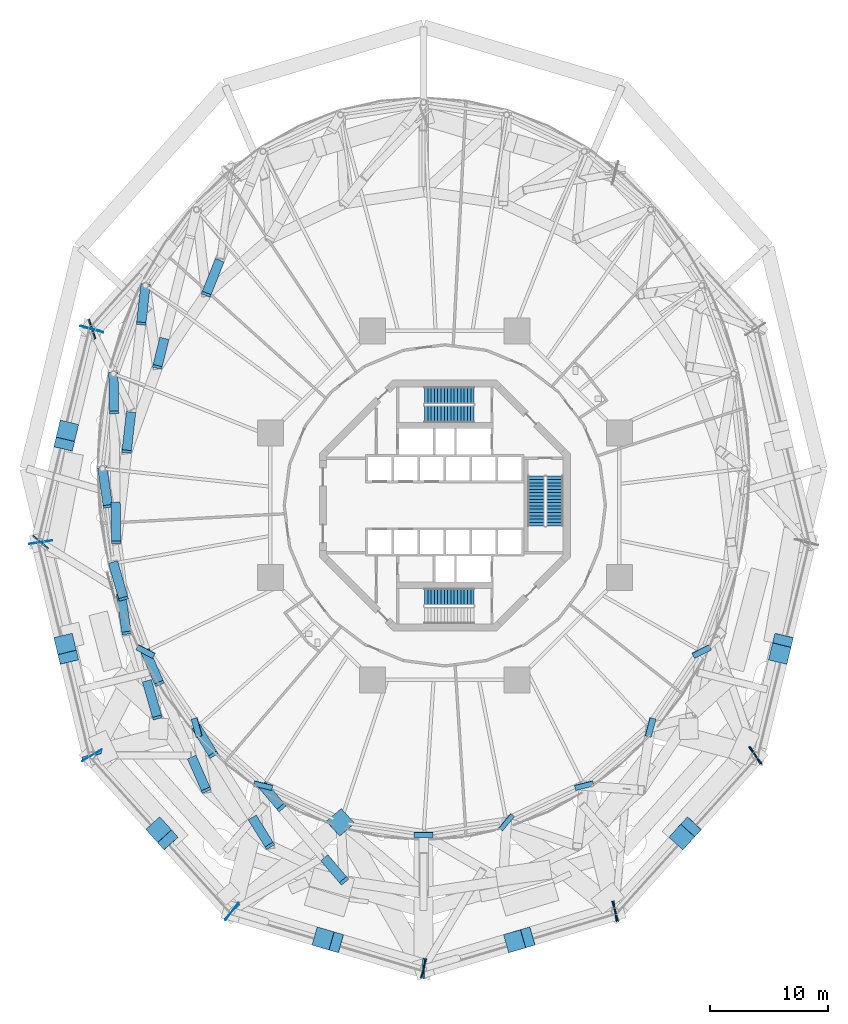
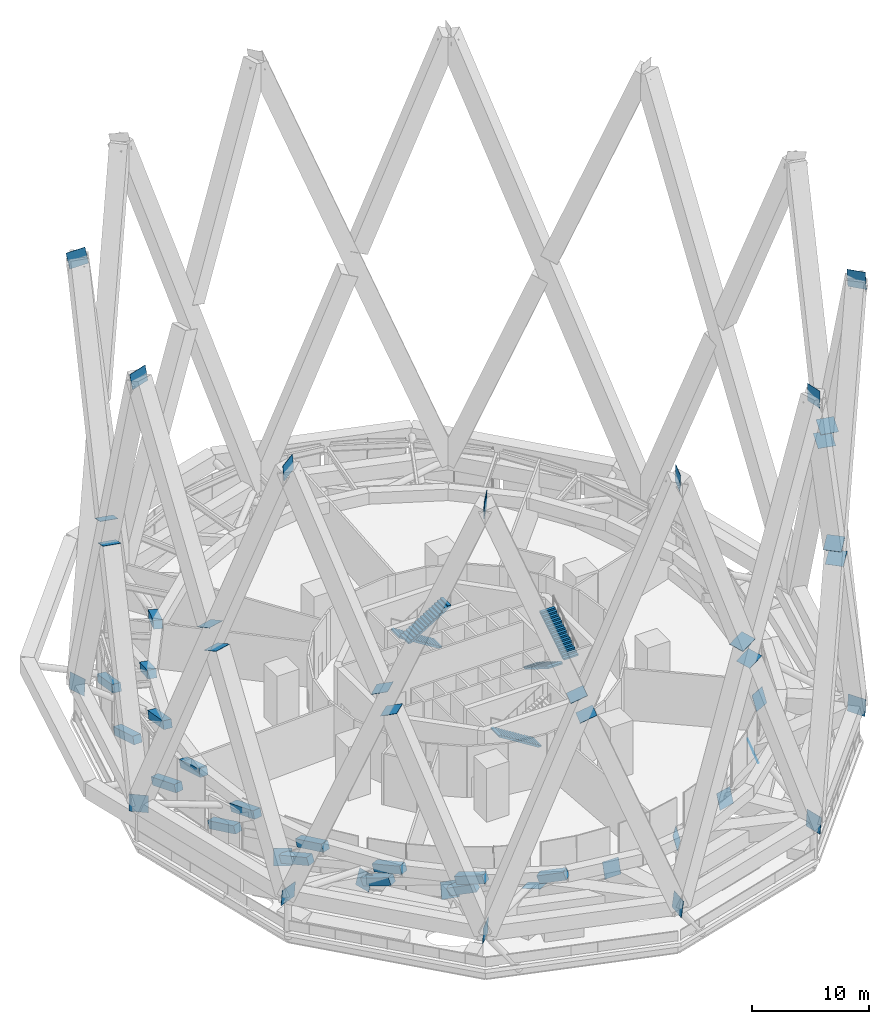
# One storey, part 56 of 65: 53 discrete accessories, 5 stair flights, 3 elements without a shape of their own.
"""IFC4 building model written with IfcOpenShell, lengths in metres."""

from ifc_helpers import new_model, si_unit, direction, frame, origin, origin_2d, place, context, subcontext, project, spatial, polyline, rectangle, outline, extrude, material, layer, layer_set, type_object, element, aggregate, save


model = new_model("IFC4")

# Units and contexts
model_context = context("Model", 3, precision=1e-05, world=origin(), true_north=direction((0.0, 1.0)))
body_context = subcontext(model_context, "Body", "Model", "MODEL_VIEW")
ifc_project = project(units=[si_unit("LENGTHUNIT", "METRE"), si_unit("AREAUNIT", "SQUARE_METRE"), si_unit("VOLUMEUNIT", "CUBIC_METRE"), si_unit("PLANEANGLEUNIT", "RADIAN"), si_unit("MASSUNIT", "GRAM", prefix="KILO")], contexts=[model_context])

# Site, building, storey
site_placement = place(None, origin())
site = spatial("IfcSite", under=ifc_project, at=site_placement, CompositionType="ELEMENT")
building_placement = place(site_placement, origin())
building = spatial("IfcBuilding", under=site, at=building_placement, Name="Nagisa Residences", CompositionType="ELEMENT")
storey_placement = place(building_placement, frame((0.0, 0.0, 114.0)))
storey = spatial("IfcBuildingStorey", under=building, at=storey_placement, Name="L28", CompositionType="ELEMENT", Elevation=114.0)

# Stair, stair flights
ifc_material_1 = material(Name="Concrete C60", Category="concrete")
stair_type = type_object("IfcStairType", Name="Exit stair", PredefinedType="HALF_TURN_STAIR", material=ifc_material_1)
stair_1_placement = place(storey_placement, origin())
stair_1 = element("IfcStair", 1, at=stair_1_placement, inside=storey, type_object=stair_type, Name="L28 Exit stair E", PredefinedType="HALF_TURN_STAIR")
ifc_material_2 = material(Name="Concrete C60", Category="concrete")
stair_flight_type = type_object("IfcStairFlightType", Name="Exit stair flight", PredefinedType="STRAIGHT", material=ifc_material_2)
stair_flight_1_placement = place(storey_placement, frame((7.737060546875, 2.47509765625, 0.0), z_axis=(0.0, 0.0, 1.0), x_axis=(0.0, -1.0, 0.0)))
stair_flight_1 = element("IfcStairFlight", 2, at=stair_flight_1_placement, type_object=stair_flight_type, Name="ST-E flight 1", NumberOfRisers=16, NumberOfTreads=15, PredefinedType="STRAIGHT", RiserHeight=0.175, TreadLength=0.28, context=body_context, shape_type="SweptSolid", body=[
    extrude(outline(polyline([(0.0, 0.0), (0.0, 0.175048828125), (0.280029296875, 0.175048828125), (0.280029296875, 0.35009765625), (0.56005859375, 0.35009765625), (0.56005859375, 0.52490234375), (0.840087890625, 0.52490234375), (0.840087890625, 0.699951171875), (1.1201171875, 0.699951171875), (1.1201171875, 0.875), (1.39990234375, 0.875), (1.39990234375, 1.050048828125), (1.679931640625, 1.050048828125), (1.679931640625, 1.22509765625), (1.9599609375, 1.22509765625), (1.9599609375, 1.39990234375), (2.239990234375, 1.39990234375), (2.239990234375, 1.574951171875), (2.52001953125, 1.574951171875), (2.52001953125, 1.75), (2.800048828125, 1.75), (2.800048828125, 1.925048828125), (3.080078125, 1.925048828125), (3.080078125, 2.10009765625), (3.360107421875, 2.10009765625), (3.360107421875, 2.27490234375), (3.639892578125, 2.27490234375), (3.639892578125, 2.449951171875), (3.919921875, 2.449951171875), (3.919921875, 2.625), (4.199951171875, 2.625), (4.199951171875, 2.800048828125), (4.199951171875, 2.4482421875), (0.28271484375, 0.0), (0.0, 0.0)])), frame((0.0, 0.71240234375, 0.0), z_axis=(0.0, -1.0, 0.0), x_axis=(1.0, 0.0, 0.0)), (0.0, 0.0, 1.0), 1.425048828125),
])
stair_flight_2_placement = place(storey_placement, frame((9.31201171875, -1.72509765625, 2.800048828125), z_axis=(0.0, 0.0, 1.0), x_axis=(0.0, 1.0, 0.0)))
stair_flight_2 = element("IfcStairFlight", 3, at=stair_flight_2_placement, type_object=stair_flight_type, Name="ST-E flight 2", NumberOfRisers=16, NumberOfTreads=15, PredefinedType="STRAIGHT", RiserHeight=0.175, TreadLength=0.28, context=body_context, shape_type="SweptSolid", body=[
    extrude(outline(polyline([(0.0, 0.0), (0.0, 0.175048828125), (0.280029296875, 0.175048828125), (0.280029296875, 0.35009765625), (0.56005859375, 0.35009765625), (0.56005859375, 0.52490234375), (0.840087890625, 0.52490234375), (0.840087890625, 0.699951171875), (1.1201171875, 0.699951171875), (1.1201171875, 0.875), (1.39990234375, 0.875), (1.39990234375, 1.050048828125), (1.679931640625, 1.050048828125), (1.679931640625, 1.22509765625), (1.9599609375, 1.22509765625), (1.9599609375, 1.39990234375), (2.239990234375, 1.39990234375), (2.239990234375, 1.574951171875), (2.52001953125, 1.574951171875), (2.52001953125, 1.75), (2.800048828125, 1.75), (2.800048828125, 1.925048828125), (3.080078125, 1.925048828125), (3.080078125, 2.10009765625), (3.360107421875, 2.10009765625), (3.360107421875, 2.27490234375), (3.639892578125, 2.27490234375), (3.639892578125, 2.449951171875), (3.919921875, 2.449951171875), (3.919921875, 2.625), (4.199951171875, 2.625), (4.199951171875, 2.800048828125), (4.199951171875, 2.4482421875), (0.28271484375, 0.0), (0.0, 0.0)])), frame((0.0, 0.71240234375, 0.0), z_axis=(0.0, -1.0, 0.0), x_axis=(1.0, 0.0, 0.0)), (0.0, 0.0, 1.0), 1.425048828125),
])
aggregate(stair_1, [stair_flight_1, stair_flight_2])

stair_2_placement = place(storey_placement, origin())
stair_2 = element("IfcStair", 4, at=stair_2_placement, inside=storey, type_object=stair_type, Name="L28 Exit stair N", PredefinedType="HALF_TURN_STAIR")
stair_flight_3_placement = place(storey_placement, frame((2.47509765625, 9.31201171875, 0.0), z_axis=(0.0, 0.0, 1.0), x_axis=(-1.0, 0.0, 0.0)))
stair_flight_3 = element("IfcStairFlight", 5, at=stair_flight_3_placement, type_object=stair_flight_type, Name="ST-N flight 1", NumberOfRisers=16, NumberOfTreads=15, PredefinedType="STRAIGHT", RiserHeight=0.175, TreadLength=0.28, context=body_context, shape_type="SweptSolid", body=[
    extrude(outline(polyline([(0.0, 0.0), (0.0, 0.175048828125), (0.280029296875, 0.175048828125), (0.280029296875, 0.35009765625), (0.56005859375, 0.35009765625), (0.56005859375, 0.52490234375), (0.840087890625, 0.52490234375), (0.840087890625, 0.699951171875), (1.1201171875, 0.699951171875), (1.1201171875, 0.875), (1.39990234375, 0.875), (1.39990234375, 1.050048828125), (1.679931640625, 1.050048828125), (1.679931640625, 1.22509765625), (1.9599609375, 1.22509765625), (1.9599609375, 1.39990234375), (2.239990234375, 1.39990234375), (2.239990234375, 1.574951171875), (2.52001953125, 1.574951171875), (2.52001953125, 1.75), (2.800048828125, 1.75), (2.800048828125, 1.925048828125), (3.080078125, 1.925048828125), (3.080078125, 2.10009765625), (3.360107421875, 2.10009765625), (3.360107421875, 2.27490234375), (3.639892578125, 2.27490234375), (3.639892578125, 2.449951171875), (3.919921875, 2.449951171875), (3.919921875, 2.625), (4.199951171875, 2.625), (4.199951171875, 2.800048828125), (4.199951171875, 2.4482421875), (0.28271484375, 0.0), (0.0, 0.0)])), frame((0.0, 0.71240234375, 0.0), z_axis=(0.0, -1.0, 0.0), x_axis=(1.0, 0.0, 0.0)), (0.0, 0.0, 1.0), 1.425048828125),
])
stair_flight_4_placement = place(storey_placement, frame((-1.72509765625, 7.737060546875, 2.800048828125), z_axis=(0.0, 0.0, 1.0), x_axis=(1.0, 0.0, 0.0)))
stair_flight_4 = element("IfcStairFlight", 6, at=stair_flight_4_placement, type_object=stair_flight_type, Name="ST-N flight 2", NumberOfRisers=16, NumberOfTreads=15, PredefinedType="STRAIGHT", RiserHeight=0.175, TreadLength=0.28, context=body_context, shape_type="SweptSolid", body=[
    extrude(outline(polyline([(0.0, 0.0), (0.0, 0.175048828125), (0.280029296875, 0.175048828125), (0.280029296875, 0.35009765625), (0.56005859375, 0.35009765625), (0.56005859375, 0.52490234375), (0.840087890625, 0.52490234375), (0.840087890625, 0.699951171875), (1.1201171875, 0.699951171875), (1.1201171875, 0.875), (1.39990234375, 0.875), (1.39990234375, 1.050048828125), (1.679931640625, 1.050048828125), (1.679931640625, 1.22509765625), (1.9599609375, 1.22509765625), (1.9599609375, 1.39990234375), (2.239990234375, 1.39990234375), (2.239990234375, 1.574951171875), (2.52001953125, 1.574951171875), (2.52001953125, 1.75), (2.800048828125, 1.75), (2.800048828125, 1.925048828125), (3.080078125, 1.925048828125), (3.080078125, 2.10009765625), (3.360107421875, 2.10009765625), (3.360107421875, 2.27490234375), (3.639892578125, 2.27490234375), (3.639892578125, 2.449951171875), (3.919921875, 2.449951171875), (3.919921875, 2.625), (4.199951171875, 2.625), (4.199951171875, 2.800048828125), (4.199951171875, 2.4482421875), (0.28271484375, 0.0), (0.0, 0.0)])), frame((0.0, 0.71240234375, 0.0), z_axis=(0.0, -1.0, 0.0), x_axis=(1.0, 0.0, 0.0)), (0.0, 0.0, 1.0), 1.425048828125),
])
aggregate(stair_2, [stair_flight_3, stair_flight_4])

# Stair, stair flight
stair_3_placement = place(storey_placement, origin())
stair_3 = element("IfcStair", 7, at=stair_3_placement, inside=storey, type_object=stair_type, Name="L28 Exit stair S", PredefinedType="HALF_TURN_STAIR")
stair_flight_5_placement = place(storey_placement, frame((2.47509765625, -7.737060546875, 0.0), z_axis=(0.0, 0.0, 1.0), x_axis=(-1.0, 0.0, 0.0)))
stair_flight_5 = element("IfcStairFlight", 8, at=stair_flight_5_placement, type_object=stair_flight_type, Name="ST-S flight 1", NumberOfRisers=16, NumberOfTreads=15, PredefinedType="STRAIGHT", RiserHeight=0.175, TreadLength=0.28, context=body_context, shape_type="SweptSolid", body=[
    extrude(outline(polyline([(0.0, 0.0), (0.0, 0.175048828125), (0.280029296875, 0.175048828125), (0.280029296875, 0.35009765625), (0.56005859375, 0.35009765625), (0.56005859375, 0.52490234375), (0.840087890625, 0.52490234375), (0.840087890625, 0.699951171875), (1.1201171875, 0.699951171875), (1.1201171875, 0.875), (1.39990234375, 0.875), (1.39990234375, 1.050048828125), (1.679931640625, 1.050048828125), (1.679931640625, 1.22509765625), (1.9599609375, 1.22509765625), (1.9599609375, 1.39990234375), (2.239990234375, 1.39990234375), (2.239990234375, 1.574951171875), (2.52001953125, 1.574951171875), (2.52001953125, 1.75), (2.800048828125, 1.75), (2.800048828125, 1.925048828125), (3.080078125, 1.925048828125), (3.080078125, 2.10009765625), (3.360107421875, 2.10009765625), (3.360107421875, 2.27490234375), (3.639892578125, 2.27490234375), (3.639892578125, 2.449951171875), (3.919921875, 2.449951171875), (3.919921875, 2.625), (4.199951171875, 2.625), (4.199951171875, 2.800048828125), (4.199951171875, 2.4482421875), (0.28271484375, 0.0), (0.0, 0.0)])), frame((0.0, 0.71240234375, 0.0), z_axis=(0.0, -1.0, 0.0), x_axis=(1.0, 0.0, 0.0)), (0.0, 0.0, 1.0), 1.425048828125),
])
aggregate(stair_3, [stair_flight_5])

# Discrete accessories
ifc_material_3 = material(Name="Steel ASTM A572 Gr 50", Category="steel")
discrete_accessory_type_1 = type_object("IfcDiscreteAccessoryType", Name="Belt node casting BX 800x800x45", PredefinedType="BRACKET", material=ifc_material_3)
discrete_accessory_1_placement = place(storey_placement, frame((-19.105224609375, 20.65576171875, 3.7900390625), z_axis=(-0.352249262276, -0.885490628362, 0.303029378624), x_axis=(0.929179520692, -0.36962875744, 0.0)))
element("IfcDiscreteAccessory", 9, at=discrete_accessory_1_placement, inside=storey, type_object=discrete_accessory_type_1, Name="Belt node 2E09", PredefinedType="BRACKET", context=body_context, shape_type="SweptSolid", body=[
    extrude(rectangle(XDim=0.800048828125, YDim=0.800048828125, at=origin_2d()), origin(), (0.0, 0.0, 1.0), 3.134765625),
])
discrete_accessory_2_placement = place(storey_placement, frame((-23.774169921875, 14.030029296875, 4.02490234375), z_axis=(-0.231319058948, -0.929023091819, 0.288803718525), x_axis=(0.970372276171, -0.241614663542, 0.0)))
element("IfcDiscreteAccessory", 10, at=discrete_accessory_2_placement, inside=storey, type_object=discrete_accessory_type_1, Name="Belt node 2E10", PredefinedType="BRACKET", context=body_context, shape_type="SweptSolid", body=[
    extrude(rectangle(XDim=0.800048828125, YDim=0.800048828125, at=origin_2d()), origin(), (0.0, 0.0, 1.0), 2.47607421875),
])
discrete_accessory_3_placement = place(storey_placement, frame((-25.3515625, 18.625244140625, 0.60009765625), z_axis=(-0.108260717335, -0.9536325721, 0.280828300768), x_axis=(0.993617711767, -0.112800012688, 0.0)))
element("IfcDiscreteAccessory", 11, at=discrete_accessory_3_placement, inside=storey, type_object=discrete_accessory_type_1, Name="Belt node 2E11", PredefinedType="BRACKET", context=body_context, shape_type="SweptSolid", body=[
    extrude(rectangle(XDim=0.800048828125, YDim=0.800048828125, at=origin_2d()), origin(), (0.0, 0.0, 1.0), 3.382568359375),
])
discrete_accessory_4_placement = place(storey_placement, frame((-26.58154296875, 7.793701171875, 3.7900390625), z_axis=(-0.108332044406, -0.953625118411, 0.280826105785), x_axis=(0.993609280641, -0.112874254919, 0.0)))
element("IfcDiscreteAccessory", 12, at=discrete_accessory_4_placement, inside=storey, type_object=discrete_accessory_type_1, Name="Belt node 2E11", PredefinedType="BRACKET", context=body_context, shape_type="SweptSolid", body=[
    extrude(rectangle(XDim=0.800048828125, YDim=0.800048828125, at=origin_2d()), origin(), (0.0, 0.0, 1.0), 3.3828125),
])
discrete_accessory_5_placement = place(storey_placement, frame((-28.068359375, 11.14501953125, 0.60009765625), z_axis=(0.015686589327, -0.960248477267, 0.278705566541), x_axis=(0.999866594759, 0.016333789665, 0.0)))
element("IfcDiscreteAccessory", 13, at=discrete_accessory_5_placement, inside=storey, type_object=discrete_accessory_type_1, Name="Belt node 2E12", PredefinedType="BRACKET", context=body_context, shape_type="SweptSolid", body=[
    extrude(rectangle(XDim=0.800048828125, YDim=0.800048828125, at=origin_2d()), origin(), (0.0, 0.0, 1.0), 3.408447265625),
])
discrete_accessory_6_placement = place(storey_placement, frame((-27.888427734375, 0.155029296875, 3.7900390625), z_axis=(0.015687668337, -0.960242895212, 0.278724737432), x_axis=(0.999866574859, 0.016335007825, 0.0)))
element("IfcDiscreteAccessory", 14, at=discrete_accessory_6_placement, inside=storey, type_object=discrete_accessory_type_1, Name="Belt node 2E12", PredefinedType="BRACKET", context=body_context, shape_type="SweptSolid", body=[
    extrude(rectangle(XDim=0.800048828125, YDim=0.800048828125, at=origin_2d()), origin(), (0.0, 0.0, 1.0), 3.408203125),
])
for number, where, z_axis, x_axis, name in (
    (15, (-28.9951171875, 3.11767578125, 0.60009765625), (0.139640743148, -0.949121809533, 0.282255652774), (0.989349529244, 0.145559297141, 0.0), "Belt node 2E13"),
    (16, (-27.417724609375, -7.60888671875, 3.7900390625), (0.139569615931, -0.949131421434, 0.28225851122), (0.989360415869, 0.145485282798, 0.0), "Belt node 2E13"),
):
    element("IfcDiscreteAccessory", number, at=place(storey_placement, frame(where, z_axis=z_axis, x_axis=x_axis)), inside=storey, type_object=discrete_accessory_type_1, Name=name, PredefinedType="BRACKET", context=body_context, shape_type="SweptSolid", body=[
        extrude(rectangle(XDim=0.800048828125, YDim=0.800048828125, at=origin_2d()), origin(), (0.0, 0.0, 1.0), 3.365478515625),
    ])
for number, where, z_axis, x_axis, name in (
    (17, (-28.068359375, -4.90966796875, 0.60009765625), (0.262220565949, -0.919870944756, 0.291681024044), (0.961689386912, 0.274141429013, 0.0), "Belt node 2E14"),
    (18, (-25.200927734375, -14.96923828125, 3.7900390625), (0.262220565949, -0.919870944756, 0.291681024044), (0.961689386912, 0.274141429013, 0.0), "Belt node 2E14"),
):
    element("IfcDiscreteAccessory", number, at=place(storey_placement, frame(where, z_axis=z_axis, x_axis=x_axis)), inside=storey, type_object=discrete_accessory_type_1, Name=name, PredefinedType="BRACKET", context=body_context, shape_type="SweptSolid", body=[
        extrude(rectangle(XDim=0.800048828125, YDim=0.800048828125, at=origin_2d()), origin(), (0.0, 0.0, 1.0), 3.2568359375),
    ])
discrete_accessory_7_placement = place(storey_placement, frame((-25.3515625, -12.389892578125, 0.60009765625), z_axis=(0.382156045138, -0.871375877803, 0.307670012752), x_axis=(0.915798397985, 0.401638262928, 0.0)))
element("IfcDiscreteAccessory", 19, at=discrete_accessory_7_placement, inside=storey, type_object=discrete_accessory_type_1, Name="Belt node 2E15", PredefinedType="BRACKET", context=body_context, shape_type="SweptSolid", body=[
    extrude(rectangle(XDim=0.800048828125, YDim=0.800048828125, at=origin_2d()), origin(), (0.0, 0.0, 1.0), 3.087646484375),
])
discrete_accessory_8_placement = place(storey_placement, frame((-21.389404296875, -21.424560546875, 3.7900390625), z_axis=(0.382129715492, -0.871394908842, 0.307648815017), x_axis=(0.915811802123, 0.401607698, 0.0)))
element("IfcDiscreteAccessory", 20, at=discrete_accessory_8_placement, inside=storey, type_object=discrete_accessory_type_1, Name="Belt node 2E15", PredefinedType="BRACKET", context=body_context, shape_type="SweptSolid", body=[
    extrude(rectangle(XDim=0.800048828125, YDim=0.800048828125, at=origin_2d()), origin(), (0.0, 0.0, 1.0), 3.087890625),
])
discrete_accessory_9_placement = place(storey_placement, frame((-21.02978515625, -18.813232421875, 0.60009765625), z_axis=(0.497136301894, -0.801939857431, 0.331282300166), x_axis=(0.849934211571, 0.526888826984, 0.0)))
element("IfcDiscreteAccessory", 21, at=discrete_accessory_9_placement, inside=storey, type_object=discrete_accessory_type_1, Name="Belt node 2E16", PredefinedType="BRACKET", context=body_context, shape_type="SweptSolid", body=[
    extrude(rectangle(XDim=0.800048828125, YDim=0.800048828125, at=origin_2d()), origin(), (0.0, 0.0, 1.0), 2.867431640625),
])
discrete_accessory_10_placement = place(storey_placement, frame((-16.242919921875, -26.534912109375, 3.7900390625), z_axis=(0.497170246885, -0.801909468259, 0.331304920471), x_axis=(0.849909158068, 0.526929239112, 0.0)))
element("IfcDiscreteAccessory", 22, at=discrete_accessory_10_placement, inside=storey, type_object=discrete_accessory_type_1, Name="Belt node 2E16", PredefinedType="BRACKET", context=body_context, shape_type="SweptSolid", body=[
    extrude(rectangle(XDim=0.800048828125, YDim=0.800048828125, at=origin_2d()), origin(), (0.0, 0.0, 1.0), 2.8671875),
])
for number, where, z_axis, x_axis, name in (
    (23, (-15.3974609375, -23.7421875, 0.60009765625), (0.603633782361, -0.709154997302, 0.364315037563), (0.761487652483, 0.648179415838, 0.0), "Belt node 2E17"),
    (24, (-10.1123046875, -29.95166015625, 3.7900390625), (0.603633782361, -0.709154997302, 0.364315037563), (0.761487652483, 0.648179415838, 0.0), "Belt node 2E17"),
):
    element("IfcDiscreteAccessory", number, at=place(storey_placement, frame(where, z_axis=z_axis, x_axis=x_axis)), inside=storey, type_object=discrete_accessory_type_1, Name=name, PredefinedType="BRACKET", context=body_context, shape_type="SweptSolid", body=[
        extrude(rectangle(XDim=0.800048828125, YDim=0.800048828125, at=origin_2d()), origin(), (0.0, 0.0, 1.0), 2.607421875),
    ])
ifc_material_4 = material(Name="Steel ASTM A572 Gr 50", Category="steel")
ifc_layer = layer(ifc_material_4, 0.030029296875)
ifc_layer_set = layer_set([ifc_layer], Name="Node plate")
discrete_accessory_type_2 = type_object("IfcDiscreteAccessoryType", Name="Node plate", PredefinedType="ANCHORPLATE", material=ifc_layer_set)
discrete_accessory_11_placement = place(storey_placement, frame((-29.875244140625, 14.9345703125, 3.698974609375), z_axis=(-0.946167263067, -0.315389087689, 0.072782097159), x_axis=(0.316890533644, -0.948411554312, 0.009793535356)))
element("IfcDiscreteAccessory", 25, at=discrete_accessory_11_placement, inside=storey, type_object=discrete_accessory_type_2, Name="Node plate ST3B06", PredefinedType="ANCHORPLATE", context=body_context, shape_type="SweptSolid", body=[
    extrude(rectangle(XDim=1.719970703125, YDim=1.719970703125, at=origin_2d()), origin(), (0.0, 0.0, 1.0), 0.0302734375),
])
for number, where, z_axis, x_axis, name in (
    (26, (-34.225341796875, -3.106201171875, 3.698974609375), (-0.642021854216, -0.763924737928, 0.065014871313), (0.765920775768, -0.64285915885, 0.009872544215), "Node plate ST3B07"),
    (27, (-29.89453125, -21.151123046875, 3.701904296875), (0.326055658376, -0.93741001783, -0.122270871891), (0.945350566848, 0.323301084535, 0.042293196828), "Node plate ST3B08"),
    (28, (-18.0068359375, -34.387451171875, 3.699462890625), (-0.714597454463, 0.698356603226, 0.040602128095), (0.699220337471, 0.714814135614, 0.01147480693), "Node plate ST3B09"),
    (29, (-1.78515625, -39.213134765625, 3.698486328125), (-0.994668050512, 0.03261206723, 0.09783620169), (0.037976941713, 0.997846316058, 0.053483468725), "Node plate ST3B10"),
    (30, (14.431884765625, -34.373046875, 3.698974609375), (-0.962535963347, -0.261026701925, 0.073413759916), (-0.259611243489, 0.96529631959, 0.02837283279), "Node plate ST3B11"),
    (31, (26.27685546875, -21.173095703125, 3.701171875), (0.845193327069, 0.528245829418, -0.081268589141), (-0.528454062123, 0.848709720334, 0.020690936097), "Node plate ST3B12"),
):
    element("IfcDiscreteAccessory", number, at=place(storey_placement, frame(where, z_axis=z_axis, x_axis=x_axis)), inside=storey, type_object=discrete_accessory_type_2, Name=name, PredefinedType="ANCHORPLATE", context=body_context, shape_type="SweptSolid", body=[
        extrude(rectangle(XDim=1.719970703125, YDim=1.719970703125, at=origin_2d()), origin(), (0.0, 0.0, 1.0), 0.030029296875),
    ])
discrete_accessory_12_placement = place(storey_placement, frame((-21.02978515625, -18.813232421875, 0.60009765625), z_axis=(0.914477755764, 0.24278170507, -0.323708940093), x_axis=(-0.256597773077, 0.966518278592, 0.0)))
element("IfcDiscreteAccessory", 32, at=discrete_accessory_12_placement, inside=storey, type_object=discrete_accessory_type_2, Name="Node plate OB301", PredefinedType="ANCHORPLATE", context=body_context, shape_type="SweptSolid", body=[
    extrude(rectangle(XDim=1.60009765625, YDim=1.60009765625, at=origin_2d()), origin(), (0.0, 0.0, 1.0), 0.0302734375),
])
for number, where, z_axis, x_axis, name in (
    (33, (-25.3515625, -12.389892578125, 0.60009765625), (0.439431217275, 0.846311974011, -0.301091759985), (-0.887496076802, 0.460815270647, 0.0), "Node plate OB302"),
    (34, (-15.3974609375, -23.7421875, 0.60009765625), (0.227371917329, 0.933848946174, -0.276094471043), (-0.971615138248, 0.236567164095, 0.0), "Node plate OB303"),
):
    element("IfcDiscreteAccessory", number, at=place(storey_placement, frame(where, z_axis=z_axis, x_axis=x_axis)), inside=storey, type_object=discrete_accessory_type_2, Name=name, PredefinedType="ANCHORPLATE", context=body_context, shape_type="SweptSolid", body=[
        extrude(rectangle(XDim=1.60009765625, YDim=1.60009765625, at=origin_2d()), origin(), (0.0, 0.0, 1.0), 0.030029296875),
    ])
discrete_accessory_13_placement = place(storey_placement, frame((-8.83984375, -26.8447265625, 0.585693359375), z_axis=(0.08161158157, 0.285640535497, 0.954855504375), x_axis=(-0.740945043344, -0.623374890321, 0.249808304228)))
element("IfcDiscreteAccessory", 35, at=discrete_accessory_13_placement, inside=storey, type_object=discrete_accessory_type_2, Name="Node plate OB304", PredefinedType="ANCHORPLATE", context=body_context, shape_type="SweptSolid", body=[
    extrude(rectangle(XDim=1.719970703125, YDim=1.719970703125, at=origin_2d()), origin(), (0.0, 0.0, 1.0), 0.030029296875),
])
for number, where, z_axis, x_axis, name in (
    (36, (-1.800048828125, -27.897216796875, 0.60009765625), (0.0, 0.963048734757, -0.269327188534), (-1.0, 0.0, 0.0), "Node plate OB305"),
    (37, (11.797607421875, -23.7421875, 0.60009765625), (-0.235051019434, 0.932098870169, -0.275577057267), (-0.969644489756, -0.244519045243, 0.0), "Node plate OB307"),
    (38, (5.238525390625, -26.840576171875, 0.60009765625), (-0.74619399175, 0.61642112362, -0.251434932003), (-0.636881446996, -0.770961751627, 0.0), "Node plate OB308"),
    (39, (17.4296875, -18.813232421875, 0.60009765625), (-0.913137882438, 0.244590504224, -0.326120672299), (-0.258736085224, -0.965948051503, 0.0), "Node plate OB309"),
):
    element("IfcDiscreteAccessory", number, at=place(storey_placement, frame(where, z_axis=z_axis, x_axis=x_axis)), inside=storey, type_object=discrete_accessory_type_2, Name=name, PredefinedType="ANCHORPLATE", context=body_context, shape_type="SweptSolid", body=[
        extrude(rectangle(XDim=1.60009765625, YDim=1.60009765625, at=origin_2d()), origin(), (0.0, 0.0, 1.0), 0.030029296875),
    ])
discrete_accessory_14_placement = place(storey_placement, frame((21.75146484375, -12.389892578125, 0.60009765625), z_axis=(-0.432829762503, 0.84932632642, -0.302164173823), x_axis=(-0.890974108706, -0.454054113091, 0.0)))
element("IfcDiscreteAccessory", 40, at=discrete_accessory_14_placement, inside=storey, type_object=discrete_accessory_type_2, Name="Node plate OB310", PredefinedType="ANCHORPLATE", context=body_context, shape_type="SweptSolid", body=[
    extrude(rectangle(XDim=1.60009765625, YDim=1.60009765625, at=origin_2d()), origin(), (0.0, 0.0, 1.0), 0.02978515625),
])
for number, where, z_axis, x_axis, name in (
    (41, (-29.893310546875, 14.915283203125, 48.200439453125), (0.251957588699, 0.967192034037, -0.032510656606), (0.169867674311, -0.077274185031, -0.982432528753), "Node plate CD3009"),
    (42, (-34.2373046875, -3.102783203125, 48.19970703125), (0.15386254749, -0.987959515465, 0.016196057631), (0.160576102424, 0.008827688323, -0.986983985305), "Node plate CD3011"),
):
    element("IfcDiscreteAccessory", number, at=place(storey_placement, frame(where, z_axis=z_axis, x_axis=x_axis)), inside=storey, type_object=discrete_accessory_type_2, Name=name, PredefinedType="ANCHORPLATE", context=body_context, shape_type="SweptSolid", body=[
        extrude(rectangle(XDim=1.719970703125, YDim=1.719970703125, at=origin_2d()), origin(), (0.0, 0.0, 1.0), 0.030029296875),
    ])
discrete_accessory_15_placement = place(storey_placement, frame((-32.161865234375, 5.4921875, 24.929443359375), z_axis=(0.089125086449, 0.37270490697, 0.923659986838), x_axis=(-0.972578891654, 0.232573213222, 0.0)))
element("IfcDiscreteAccessory", 43, at=discrete_accessory_15_placement, inside=storey, type_object=discrete_accessory_type_2, Name="Node plate CD3012A", PredefinedType="ANCHORPLATE", context=body_context, shape_type="SweptSolid", body=[
    extrude(rectangle(XDim=1.60009765625, YDim=1.60009765625, at=origin_2d()), origin(), (0.0, 0.0, 1.0), 0.030029296875),
])
discrete_accessory_16_placement = place(storey_placement, frame((-31.962646484375, 6.31982421875, 26.970458984375), z_axis=(-0.089796666364, -0.375513332069, -0.922456663561), x_axis=(0.972578891654, -0.232573213222, 0.0)))
element("IfcDiscreteAccessory", 44, at=discrete_accessory_16_placement, inside=storey, type_object=discrete_accessory_type_2, Name="Node plate CD3012B", PredefinedType="ANCHORPLATE", context=body_context, shape_type="SweptSolid", body=[
    extrude(rectangle(XDim=1.60009765625, YDim=1.60009765625, at=origin_2d()), origin(), (0.0, 0.0, 1.0), 0.02978515625),
])
discrete_accessory_17_placement = place(storey_placement, frame((-29.8818359375, -21.177978515625, 48.199951171875), z_axis=(-0.514495755428, 0.857492925713, 0.0), x_axis=(0.107289286178, 0.064373571707, -0.992141649331)))
element("IfcDiscreteAccessory", 45, at=discrete_accessory_17_placement, inside=storey, type_object=discrete_accessory_type_2, Name="Node plate CD3013", PredefinedType="ANCHORPLATE", context=body_context, shape_type="SweptSolid", body=[
    extrude(rectangle(XDim=1.719970703125, YDim=1.719970703125, at=origin_2d()), origin(), (0.0, 0.0, 1.0), 0.02978515625),
])
discrete_accessory_18_placement = place(storey_placement, frame((-31.962646484375, -12.555419921875, 24.929443359375), z_axis=(-0.089125086449, 0.37270490697, 0.923659986838), x_axis=(-0.972578891654, -0.232573213222, 0.0)))
element("IfcDiscreteAccessory", 46, at=discrete_accessory_18_placement, inside=storey, type_object=discrete_accessory_type_2, Name="Node plate CD3014A", PredefinedType="ANCHORPLATE", context=body_context, shape_type="SweptSolid", body=[
    extrude(rectangle(XDim=1.60009765625, YDim=1.60009765625, at=origin_2d()), origin(), (0.0, 0.0, 1.0), 0.030029296875),
])
discrete_accessory_19_placement = place(storey_placement, frame((-32.161865234375, -11.7275390625, 26.970458984375), z_axis=(0.089796666364, -0.375513332069, -0.922456663561), x_axis=(0.972578891654, 0.232573213222, 0.0)))
element("IfcDiscreteAccessory", 47, at=discrete_accessory_19_placement, inside=storey, type_object=discrete_accessory_type_2, Name="Node plate CD3014B", PredefinedType="ANCHORPLATE", context=body_context, shape_type="SweptSolid", body=[
    extrude(rectangle(XDim=1.60009765625, YDim=1.60009765625, at=origin_2d()), origin(), (0.0, 0.0, 1.0), 0.02978515625),
])
discrete_accessory_20_placement = place(storey_placement, frame((-18.029296875, -34.36767578125, 48.2001953125), z_axis=(0.791000383436, -0.611598234616, -0.016309286256), x_axis=(0.030781315362, 0.06640564263, -0.997317803537)))
element("IfcDiscreteAccessory", 48, at=discrete_accessory_20_placement, inside=storey, type_object=discrete_accessory_type_2, Name="Node plate CD3015", PredefinedType="ANCHORPLATE", context=body_context, shape_type="SweptSolid", body=[
    extrude(rectangle(XDim=1.719970703125, YDim=1.719970703125, at=origin_2d()), origin(), (0.0, 0.0, 1.0), 0.030029296875),
])
discrete_accessory_21_placement = place(storey_placement, frame((-23.670654296875, -28.0859375, 24.8896484375), z_axis=(-0.24452549678, 0.277128896351, 0.929196887765), x_axis=(-0.749837855365, -0.661621637087, 0.0)))
element("IfcDiscreteAccessory", 49, at=discrete_accessory_21_placement, inside=storey, type_object=discrete_accessory_type_2, Name="Node plate CD3016A", PredefinedType="ANCHORPLATE", context=body_context, shape_type="SweptSolid", body=[
    extrude(rectangle(XDim=1.60009765625, YDim=1.60009765625, at=origin_2d()), origin(), (0.0, 0.0, 1.0), 0.030029296875),
])
discrete_accessory_22_placement = place(storey_placement, frame((-24.236328125, -27.456298828125, 27.010498046875), z_axis=(0.245071540698, -0.269578694768, -0.931271854652), x_axis=(0.739940073396, 0.672672793996, 0.0)))
element("IfcDiscreteAccessory", 50, at=discrete_accessory_22_placement, inside=storey, type_object=discrete_accessory_type_2, Name="Node plate CD3016B", PredefinedType="ANCHORPLATE", context=body_context, shape_type="SweptSolid", body=[
    extrude(rectangle(XDim=1.60009765625, YDim=1.60009765625, at=origin_2d()), origin(), (0.0, 0.0, 1.0), 0.02978515625),
])
discrete_accessory_23_placement = place(storey_placement, frame((-1.814453125, -39.20849609375, 48.200439453125), z_axis=(0.960397594755, -0.276724730692, -0.03255585067), x_axis=(-0.029849858987, 0.013986552159, -0.999456533461)))
element("IfcDiscreteAccessory", 51, at=discrete_accessory_23_placement, inside=storey, type_object=discrete_accessory_type_2, Name="Node plate CD3017", PredefinedType="ANCHORPLATE", context=body_context, shape_type="SweptSolid", body=[
    extrude(rectangle(XDim=1.719970703125, YDim=1.719970703125, at=origin_2d()), origin(), (0.0, 0.0, 1.0), 0.030029296875),
])
discrete_accessory_24_placement = place(storey_placement, frame((-9.50537109375, -36.9150390625, 24.843505859375), z_axis=(-0.344031231028, 0.098294637437, 0.933799055648), x_axis=(-0.274721127897, -0.961523947641, 0.0)))
element("IfcDiscreteAccessory", 52, at=discrete_accessory_24_placement, inside=storey, type_object=discrete_accessory_type_2, Name="Node plate CD3018A", PredefinedType="ANCHORPLATE", context=body_context, shape_type="SweptSolid", body=[
    extrude(rectangle(XDim=1.60009765625, YDim=1.60009765625, at=origin_2d()), origin(), (0.0, 0.0, 1.0), 0.02978515625),
])
discrete_accessory_25_placement = place(storey_placement, frame((-10.31201171875, -36.674560546875, 27.056640625), z_axis=(0.341418283334, -0.097548080953, -0.934835775796), x_axis=(0.274721127897, 0.961523947641, 0.0)))
element("IfcDiscreteAccessory", 53, at=discrete_accessory_25_placement, inside=storey, type_object=discrete_accessory_type_2, Name="Node plate CD3018B", PredefinedType="ANCHORPLATE", context=body_context, shape_type="SweptSolid", body=[
    extrude(rectangle(XDim=1.60009765625, YDim=1.60009765625, at=origin_2d()), origin(), (0.0, 0.0, 1.0), 0.030029296875),
])
discrete_accessory_26_placement = place(storey_placement, frame((14.402587890625, -34.379150390625, 48.20068359375), z_axis=(0.988478231529, 0.145841050553, -0.040511402932), x_axis=(-0.03226928982, -0.058443982407, -0.997769008265)))
element("IfcDiscreteAccessory", 54, at=discrete_accessory_26_placement, inside=storey, type_object=discrete_accessory_type_2, Name="Node plate CD3019", PredefinedType="ANCHORPLATE", context=body_context, shape_type="SweptSolid", body=[
    extrude(rectangle(XDim=1.719970703125, YDim=1.719970703125, at=origin_2d()), origin(), (0.0, 0.0, 1.0), 0.030029296875),
])
discrete_accessory_27_placement = place(storey_placement, frame((6.712158203125, -36.674560546875, 24.843505859375), z_axis=(-0.344031231028, -0.098294637437, 0.933799055648), x_axis=(0.274721127897, -0.961523947641, 0.0)))
element("IfcDiscreteAccessory", 55, at=discrete_accessory_27_placement, inside=storey, type_object=discrete_accessory_type_2, Name="Node plate CD3020A", PredefinedType="ANCHORPLATE", context=body_context, shape_type="SweptSolid", body=[
    extrude(rectangle(XDim=1.60009765625, YDim=1.60009765625, at=origin_2d()), origin(), (0.0, 0.0, 1.0), 0.02978515625),
])
discrete_accessory_28_placement = place(storey_placement, frame((5.905517578125, -36.9150390625, 27.056640625), z_axis=(0.341418283334, 0.097548080953, -0.934835775796), x_axis=(-0.274721127897, 0.961523947641, 0.0)))
element("IfcDiscreteAccessory", 56, at=discrete_accessory_28_placement, inside=storey, type_object=discrete_accessory_type_2, Name="Node plate CD3020B", PredefinedType="ANCHORPLATE", context=body_context, shape_type="SweptSolid", body=[
    extrude(rectangle(XDim=1.60009765625, YDim=1.60009765625, at=origin_2d()), origin(), (0.0, 0.0, 1.0), 0.030029296875),
])
discrete_accessory_29_placement = place(storey_placement, frame((26.277587890625, -21.17431640625, 48.20068359375), z_axis=(0.793476747874, 0.607252613169, -0.040483507545), x_axis=(0.011582504941, -0.081574469494, -0.996599945568)))
element("IfcDiscreteAccessory", 57, at=discrete_accessory_29_placement, inside=storey, type_object=discrete_accessory_type_2, Name="Node plate CD3021", PredefinedType="ANCHORPLATE", context=body_context, shape_type="SweptSolid", body=[
    extrude(rectangle(XDim=1.719970703125, YDim=1.719970703125, at=origin_2d()), origin(), (0.0, 0.0, 1.0), 0.0302734375),
])
for number, where, z_axis, x_axis, name in (
    (58, (20.636474609375, -27.456298828125, 24.8896484375), (-0.25272672242, -0.269031672253, 0.92938214051), (0.728848072094, -0.684675461664, 0.0), "Node plate CD3022A"),
    (59, (20.070556640625, -28.0859375, 27.010498046875), (0.252165897338, 0.276569048693, -0.927319751501), (-0.738955843913, 0.673753857686, 0.0), "Node plate CD3022B"),
    (60, (28.56201171875, -11.7275390625, 24.929443359375), (-0.089125086449, -0.37270490697, 0.923659986838), (0.972578891654, -0.232573213222, 0.0), "Node plate CD3024A"),
):
    element("IfcDiscreteAccessory", number, at=place(storey_placement, frame(where, z_axis=z_axis, x_axis=x_axis)), inside=storey, type_object=discrete_accessory_type_2, Name=name, PredefinedType="ANCHORPLATE", context=body_context, shape_type="SweptSolid", body=[
        extrude(rectangle(XDim=1.60009765625, YDim=1.60009765625, at=origin_2d()), origin(), (0.0, 0.0, 1.0), 0.030029296875),
    ])
discrete_accessory_30_placement = place(storey_placement, frame((28.362548828125, -12.555419921875, 26.970458984375), z_axis=(0.089796666364, 0.375513332069, -0.922456663561), x_axis=(-0.972578891654, 0.232573213222, 0.0)))
element("IfcDiscreteAccessory", 61, at=discrete_accessory_30_placement, inside=storey, type_object=discrete_accessory_type_2, Name="Node plate CD3024B", PredefinedType="ANCHORPLATE", context=body_context, shape_type="SweptSolid", body=[
    extrude(rectangle(XDim=1.60009765625, YDim=1.60009765625, at=origin_2d()), origin(), (0.0, 0.0, 1.0), 0.02978515625),
])

save(model, "model.ifc")
